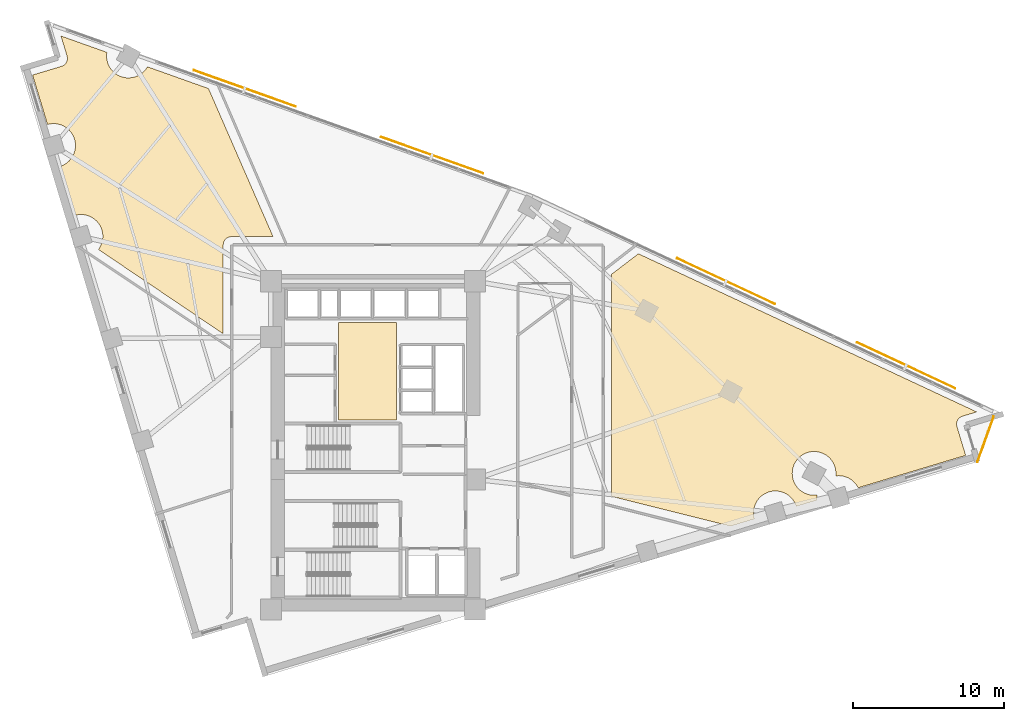
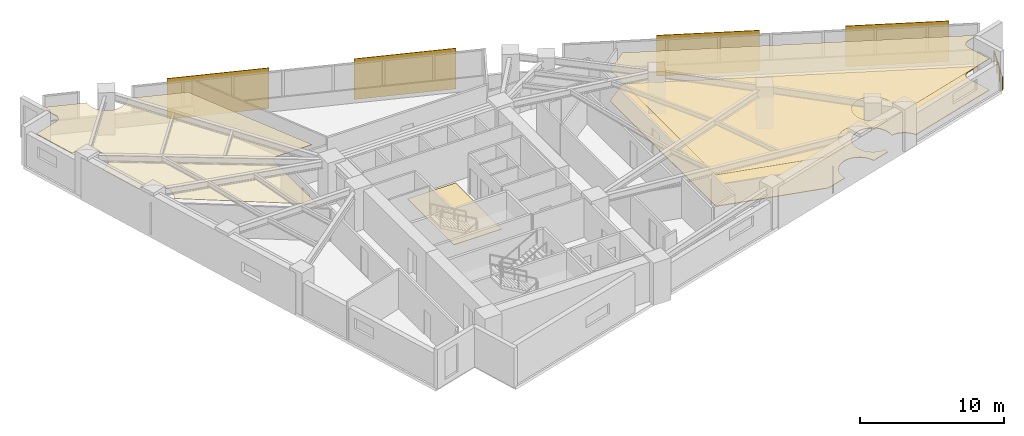
# One storey, part 14 of 14: 4 coverings, 4 shading devices, 1 railing.
"""IFC4 building model written with IfcOpenShell, lengths in metres."""

from ifc_helpers import new_model, si_unit, direction, frame, origin, origin_2d, place, context, subcontext, project, spatial, polyline, rectangle, circle, outline, extrude, material, layer, layer_set, type_object, element, save


model = new_model("IFC4")

# Units and contexts
model_context = context("Model", 3, precision=1e-05, world=origin(), true_north=direction((0.0, 1.0)))
body_context = subcontext(model_context, "Body", "Model", "MODEL_VIEW")
ifc_project = project(units=[si_unit("LENGTHUNIT", "METRE"), si_unit("AREAUNIT", "SQUARE_METRE"), si_unit("VOLUMEUNIT", "CUBIC_METRE"), si_unit("PLANEANGLEUNIT", "RADIAN"), si_unit("MASSUNIT", "GRAM", prefix="KILO")], contexts=[model_context])

# Site, building, storey
site_placement = place(None, origin())
site = spatial("IfcSite", under=ifc_project, at=site_placement, CompositionType="ELEMENT")
building_placement = place(site_placement, origin())
building = spatial("IfcBuilding", under=site, at=building_placement, Name="Narakoshi Arena Tower", CompositionType="ELEMENT")
storey_placement = place(building_placement, frame((0.0, 0.0, 135.89990234375)))
storey = spatial("IfcBuildingStorey", under=building, at=storey_placement, Name="L36", CompositionType="ELEMENT", Elevation=135.89990234375)

# Coverings
ifc_material_1 = material(Name="Acoustic mineral-fibre ceiling tile")
ifc_layer_1 = layer(ifc_material_1, 0.02001953125)
ifc_layer_set_1 = layer_set([ifc_layer_1], Name="Acoustic mineral-fibre ceiling tile")
covering_type_1 = type_object("IfcCoveringType", Name="COV-CLG-AC20", PredefinedType="CEILING", material=ifc_layer_set_1)
covering_1_placement = place(storey_placement, frame((0.0, 0.0, 2.670166015625)))
element("IfcCovering", 1, at=covering_1_placement, inside=storey, type_object=covering_type_1, Name="L36 Suspended Acoustic Ceiling 1", PredefinedType="CEILING", context=body_context, shape_type="SweptSolid", body=[
    extrude(outline(polyline([(117.9150390625, 47.540771484375), (117.8642578125, 47.522705078125), (117.8154296875, 47.499755859375), (117.76904296875, 47.47216796875), (117.7255859375, 47.43994140625), (117.685546875, 47.40380859375), (117.649169921875, 47.364013671875), (117.616943359375, 47.32080078125), (117.589111328125, 47.2744140625), (117.56591796875, 47.2255859375), (117.547607421875, 47.1748046875), (117.534423828125, 47.12255859375), (117.5263671875, 47.069091796875), (117.523681640625, 47.015380859375), (117.526123046875, 46.96142578125), (117.533935546875, 46.907958984375), (117.546875, 46.855712890625), (118.1240234375, 44.93798828125), (110.98681640625, 42.789794921875), (110.971435546875, 42.82275390625), (110.898193359375, 42.94482421875), (110.8134765625, 43.05908203125), (110.718017578125, 43.16455078125), (110.612548828125, 43.260009765625), (110.498291015625, 43.3447265625), (110.376220703125, 43.41796875), (110.24755859375, 43.478759765625), (110.113525390625, 43.52685546875), (109.9755859375, 43.561279296875), (109.834716796875, 43.582275390625), (109.692626953125, 43.589111328125), (109.550537109375, 43.582275390625), (109.5, 43.57470703125), (109.504150390625, 43.603515625), (109.51123046875, 43.74560546875), (109.504150390625, 43.8876953125), (109.4833984375, 44.0283203125), (109.44873046875, 44.16650390625), (109.40087890625, 44.30029296875), (109.340087890625, 44.428955078125), (109.266845703125, 44.551025390625), (109.18212890625, 44.665283203125), (109.08642578125, 44.770751953125), (108.981201171875, 44.866455078125), (108.86669921875, 44.951171875), (108.74462890625, 45.0244140625), (108.6162109375, 45.085205078125), (108.482177734375, 45.133056640625), (108.343994140625, 45.16748046875), (108.203369140625, 45.1884765625), (108.061279296875, 45.195556640625), (107.919189453125, 45.1884765625), (107.7783203125, 45.16748046875), (107.640380859375, 45.133056640625), (107.50634765625, 45.085205078125), (107.377685546875, 45.0244140625), (107.255615234375, 44.951171875), (107.141357421875, 44.866455078125), (107.035888671875, 44.770751953125), (106.940185546875, 44.665283203125), (106.855712890625, 44.551025390625), (106.782470703125, 44.428955078125), (106.7216796875, 44.30029296875), (106.673583984375, 44.16650390625), (106.63916015625, 44.0283203125), (106.6181640625, 43.8876953125), (106.611083984375, 43.74560546875), (106.6181640625, 43.603515625), (106.63916015625, 43.462646484375), (106.673583984375, 43.32470703125), (106.7216796875, 43.190673828125), (106.782470703125, 43.06201171875), (106.855712890625, 42.93994140625), (106.940185546875, 42.82568359375), (107.035888671875, 42.72021484375), (107.141357421875, 42.62451171875), (107.255615234375, 42.539794921875), (107.377685546875, 42.466796875), (107.50634765625, 42.406005859375), (107.640380859375, 42.35791015625), (107.7783203125, 42.323486328125), (107.919189453125, 42.302490234375), (108.061279296875, 42.29541015625), (108.203369140625, 42.302490234375), (108.25390625, 42.31005859375), (108.24951171875, 42.28125), (108.24267578125, 42.13916015625), (108.24951171875, 41.9970703125), (108.25390625, 41.96728515625), (106.87890625, 41.553466796875), (106.833251953125, 41.680908203125), (106.7724609375, 41.8095703125), (106.69921875, 41.931640625), (106.614501953125, 42.0458984375), (106.51904296875, 42.1513671875), (106.41357421875, 42.2470703125), (106.29931640625, 42.331787109375), (106.17724609375, 42.40478515625), (106.048583984375, 42.4658203125), (105.91455078125, 42.513671875), (105.776611328125, 42.548095703125), (105.6357421875, 42.569091796875), (105.49365234375, 42.576171875), (105.3515625, 42.569091796875), (105.210693359375, 42.548095703125), (105.07275390625, 42.513671875), (104.938720703125, 42.4658203125), (104.810302734375, 42.40478515625), (104.68798828125, 42.331787109375), (104.57373046875, 42.2470703125), (104.468505859375, 42.1513671875), (104.372802734375, 42.0458984375), (104.2880859375, 41.931640625), (104.21484375, 41.8095703125), (104.154052734375, 41.680908203125), (104.106201171875, 41.547119140625), (104.071533203125, 41.408935546875), (104.05078125, 41.268310546875), (104.043701171875, 41.126220703125), (104.05078125, 40.98388671875), (104.071533203125, 40.84326171875), (104.102783203125, 40.718017578125), (102.523193359375, 40.242431640625), (94.611328125, 42.222412109375), (94.611328125, 56.959716796875), (96.398681640625, 58.323974609375), (118.8564453125, 47.823974609375), (117.9150390625, 47.540771484375)])), origin(), (0.0, 0.0, 1.0), 0.02001953125),
])
ifc_material_2 = material(Name="Slatted oak acoustic timber baffle", Category="wood")
ifc_layer_2 = layer(ifc_material_2, 0.034912109375)
ifc_layer_set_2 = layer_set([ifc_layer_2], Name="Slatted oak acoustic timber baffle")
covering_type_2 = type_object("IfcCoveringType", Name="COV-CLG-WD35", PredefinedType="CEILING", material=ifc_layer_set_2)
covering_2_placement = place(storey_placement, frame((0.0, 0.0, 2.655029296875)))
element("IfcCovering", 2, at=covering_2_placement, inside=storey, type_object=covering_type_2, Name="L36 Suspended Acoustic Ceiling 2", PredefinedType="CEILING", context=body_context, shape_type="SweptSolid", body=[
    extrude(outline(polyline([(58.1015625, 70.76611328125), (58.15234375, 70.7841796875), (58.201171875, 70.80712890625), (58.24755859375, 70.834716796875), (58.291015625, 70.86669921875), (58.3310546875, 70.903076171875), (58.367431640625, 70.94287109375), (58.399658203125, 70.986083984375), (58.427490234375, 71.032470703125), (58.45068359375, 71.0810546875), (58.468994140625, 71.1318359375), (58.482177734375, 71.18408203125), (58.490234375, 71.237548828125), (58.492919921875, 71.29150390625), (58.490478515625, 71.345458984375), (58.482666015625, 71.398681640625), (58.4697265625, 71.451171875), (58.070068359375, 72.77880859375), (61.1171875, 71.693603515625), (61.102294921875, 71.59228515625), (61.09521484375, 71.4501953125), (61.102294921875, 71.30810546875), (61.123046875, 71.16748046875), (61.15771484375, 71.029296875), (61.20556640625, 70.8955078125), (61.266357421875, 70.766845703125), (61.339599609375, 70.644775390625), (61.42431640625, 70.530517578125), (61.52001953125, 70.425048828125), (61.625244140625, 70.329345703125), (61.739501953125, 70.24462890625), (61.86181640625, 70.17138671875), (61.990234375, 70.110595703125), (62.124267578125, 70.062744140625), (62.26220703125, 70.0283203125), (62.403076171875, 70.00732421875), (62.545166015625, 70.000244140625), (62.687255859375, 70.00732421875), (62.828125, 70.0283203125), (62.966064453125, 70.062744140625), (63.10009765625, 70.110595703125), (63.228759765625, 70.17138671875), (63.350830078125, 70.24462890625), (63.465087890625, 70.329345703125), (63.570556640625, 70.425048828125), (63.666015625, 70.530517578125), (63.750732421875, 70.644775390625), (63.8056640625, 70.736083984375), (67.86083984375, 69.291748046875), (72.146484375, 59.458984375), (69.388916015625, 59.458984375), (69.3349609375, 59.456298828125), (69.281494140625, 59.448486328125), (69.22900390625, 59.435302734375), (69.17822265625, 59.4169921875), (69.12939453125, 59.39404296875), (69.083251953125, 59.3662109375), (69.039794921875, 59.334228515625), (69.0, 59.2978515625), (68.963623046875, 59.2578125), (68.931396484375, 59.214599609375), (68.90380859375, 59.168212890625), (68.880615234375, 59.119384765625), (68.862548828125, 59.068603515625), (68.849365234375, 59.016357421875), (68.84130859375, 58.962890625), (68.8388671875, 58.908935546875), (68.8388671875, 53.010009765625), (60.552490234375, 58.609619140625), (60.6015625, 58.675537109375), (60.6748046875, 58.797607421875), (60.735595703125, 58.92626953125), (60.78369140625, 59.060302734375), (60.818115234375, 59.1982421875), (60.839111328125, 59.339111328125), (60.845947265625, 59.481201171875), (60.839111328125, 59.623291015625), (60.818115234375, 59.76416015625), (60.78369140625, 59.902099609375), (60.735595703125, 60.0361328125), (60.6748046875, 60.164794921875), (60.6015625, 60.286865234375), (60.516845703125, 60.401123046875), (60.42138671875, 60.506591796875), (60.31591796875, 60.60205078125), (60.20166015625, 60.686767578125), (60.07958984375, 60.760009765625), (59.950927734375, 60.82080078125), (59.81689453125, 60.868896484375), (59.678955078125, 60.9033203125), (59.5380859375, 60.92431640625), (59.39599609375, 60.93115234375), (59.25390625, 60.92431640625), (59.113037109375, 60.9033203125), (58.98779296875, 60.8720703125), (58.00830078125, 64.126708984375), (58.1357421875, 64.172607421875), (58.264404296875, 64.2333984375), (58.386474609375, 64.306396484375), (58.500732421875, 64.39111328125), (58.606201171875, 64.48681640625), (58.701904296875, 64.59228515625), (58.78662109375, 64.70654296875), (58.859619140625, 64.82861328125), (58.92041015625, 64.957275390625), (58.968505859375, 65.09130859375), (59.0029296875, 65.229248046875), (59.02392578125, 65.3701171875), (59.031005859375, 65.51220703125), (59.02392578125, 65.654296875), (59.0029296875, 65.794921875), (58.968505859375, 65.93310546875), (58.92041015625, 66.06689453125), (58.859619140625, 66.195556640625), (58.78662109375, 66.317626953125), (58.701904296875, 66.431884765625), (58.606201171875, 66.537353515625), (58.500732421875, 66.633056640625), (58.386474609375, 66.7177734375), (58.264404296875, 66.791015625), (58.1357421875, 66.851806640625), (58.001708984375, 66.899658203125), (57.86376953125, 66.93408203125), (57.722900390625, 66.955078125), (57.580810546875, 66.962158203125), (57.438720703125, 66.955078125), (57.298095703125, 66.93408203125), (57.1728515625, 66.90283203125), (56.183837890625, 70.18896484375), (58.1015625, 70.76611328125)])), origin(), (0.0, 0.0, 1.0), 0.03515625),
])
ifc_material_3 = material(Name="Raised steel access floor panel", Category="steel")
ifc_layer_3 = layer(ifc_material_3, 0.044921875)
ifc_layer_set_3 = layer_set([ifc_layer_3], Name="Raised steel access floor panel")
covering_type_3 = type_object("IfcCoveringType", Name="COV-FLR-RF45", PredefinedType="FLOORING", material=ifc_layer_set_3)
covering_3_placement = place(storey_placement, origin())
element("IfcCovering", 3, at=covering_3_placement, inside=storey, type_object=covering_type_3, Name="L36 Raised Steel Access Floor", PredefinedType="FLOORING", context=body_context, shape_type="SweptSolid", body=[
    extrude(outline(polyline([(117.9150390625, 47.540771484375), (117.8642578125, 47.522705078125), (117.8154296875, 47.499755859375), (117.76904296875, 47.47216796875), (117.7255859375, 47.43994140625), (117.685546875, 47.40380859375), (117.649169921875, 47.364013671875), (117.616943359375, 47.32080078125), (117.589111328125, 47.2744140625), (117.56591796875, 47.2255859375), (117.547607421875, 47.1748046875), (117.534423828125, 47.12255859375), (117.5263671875, 47.069091796875), (117.523681640625, 47.015380859375), (117.526123046875, 46.96142578125), (117.533935546875, 46.907958984375), (117.546875, 46.855712890625), (118.1240234375, 44.93798828125), (110.98681640625, 42.789794921875), (110.971435546875, 42.82275390625), (110.898193359375, 42.94482421875), (110.8134765625, 43.05908203125), (110.718017578125, 43.16455078125), (110.612548828125, 43.260009765625), (110.498291015625, 43.3447265625), (110.376220703125, 43.41796875), (110.24755859375, 43.478759765625), (110.113525390625, 43.52685546875), (109.9755859375, 43.561279296875), (109.834716796875, 43.582275390625), (109.692626953125, 43.589111328125), (109.550537109375, 43.582275390625), (109.5, 43.57470703125), (109.504150390625, 43.603515625), (109.51123046875, 43.74560546875), (109.504150390625, 43.8876953125), (109.4833984375, 44.0283203125), (109.44873046875, 44.16650390625), (109.40087890625, 44.30029296875), (109.340087890625, 44.428955078125), (109.266845703125, 44.551025390625), (109.18212890625, 44.665283203125), (109.08642578125, 44.770751953125), (108.981201171875, 44.866455078125), (108.86669921875, 44.951171875), (108.74462890625, 45.0244140625), (108.6162109375, 45.085205078125), (108.482177734375, 45.133056640625), (108.343994140625, 45.16748046875), (108.203369140625, 45.1884765625), (108.061279296875, 45.195556640625), (107.919189453125, 45.1884765625), (107.7783203125, 45.16748046875), (107.640380859375, 45.133056640625), (107.50634765625, 45.085205078125), (107.377685546875, 45.0244140625), (107.255615234375, 44.951171875), (107.141357421875, 44.866455078125), (107.035888671875, 44.770751953125), (106.940185546875, 44.665283203125), (106.855712890625, 44.551025390625), (106.782470703125, 44.428955078125), (106.7216796875, 44.30029296875), (106.673583984375, 44.16650390625), (106.63916015625, 44.0283203125), (106.6181640625, 43.8876953125), (106.611083984375, 43.74560546875), (106.6181640625, 43.603515625), (106.63916015625, 43.462646484375), (106.673583984375, 43.32470703125), (106.7216796875, 43.190673828125), (106.782470703125, 43.06201171875), (106.855712890625, 42.93994140625), (106.940185546875, 42.82568359375), (107.035888671875, 42.72021484375), (107.141357421875, 42.62451171875), (107.255615234375, 42.539794921875), (107.377685546875, 42.466796875), (107.50634765625, 42.406005859375), (107.640380859375, 42.35791015625), (107.7783203125, 42.323486328125), (107.919189453125, 42.302490234375), (108.061279296875, 42.29541015625), (108.203369140625, 42.302490234375), (108.25390625, 42.31005859375), (108.24951171875, 42.28125), (108.24267578125, 42.13916015625), (108.24951171875, 41.9970703125), (108.25390625, 41.96728515625), (106.87890625, 41.553466796875), (106.833251953125, 41.680908203125), (106.7724609375, 41.8095703125), (106.69921875, 41.931640625), (106.614501953125, 42.0458984375), (106.51904296875, 42.1513671875), (106.41357421875, 42.2470703125), (106.29931640625, 42.331787109375), (106.17724609375, 42.40478515625), (106.048583984375, 42.4658203125), (105.91455078125, 42.513671875), (105.776611328125, 42.548095703125), (105.6357421875, 42.569091796875), (105.49365234375, 42.576171875), (105.3515625, 42.569091796875), (105.210693359375, 42.548095703125), (105.07275390625, 42.513671875), (104.938720703125, 42.4658203125), (104.810302734375, 42.40478515625), (104.68798828125, 42.331787109375), (104.57373046875, 42.2470703125), (104.468505859375, 42.1513671875), (104.372802734375, 42.0458984375), (104.2880859375, 41.931640625), (104.21484375, 41.8095703125), (104.154052734375, 41.680908203125), (104.106201171875, 41.547119140625), (104.071533203125, 41.408935546875), (104.05078125, 41.268310546875), (104.043701171875, 41.126220703125), (104.05078125, 40.98388671875), (104.071533203125, 40.84326171875), (104.102783203125, 40.718017578125), (102.523193359375, 40.242431640625), (94.611328125, 42.222412109375), (94.611328125, 56.959716796875), (96.398681640625, 58.323974609375), (118.8564453125, 47.823974609375), (117.9150390625, 47.540771484375)])), origin(), (0.0, 0.0, 1.0), 0.045166015625),
])
ifc_material_4 = material(Name="Honed granite stone paving", Category="masonry")
ifc_layer_4 = layer(ifc_material_4, 0.030029296875)
ifc_layer_set_4 = layer_set([ifc_layer_4], Name="Honed granite stone paving")
covering_type_4 = type_object("IfcCoveringType", Name="COV-FLR-ST30", PredefinedType="FLOORING", material=ifc_layer_set_4)
covering_4_placement = place(storey_placement, origin())
element("IfcCovering", 4, at=covering_4_placement, inside=storey, type_object=covering_type_4, Name="L36 Lift Lobby Granite Flooring", PredefinedType="FLOORING", context=body_context, shape_type="SweptSolid", body=[
    extrude(outline(polyline([(76.5, 47.300048828125), (80.35009765625, 47.300048828125), (80.35009765625, 53.75), (76.5, 53.75), (76.5, 47.300048828125)])), origin(), (0.0, 0.0, 1.0), 0.030029296875),
])

# Railing
ifc_material_5 = material(Name="Brushed bronze stainless steel", Category="steel")
railing_type = type_object("IfcRailingType", Name="RL-GRD-1150", PredefinedType="GUARDRAIL", material=ifc_material_5)
railing_placement = place(storey_placement, frame((118.908935546875, 44.51611328125, 0.0)))
element("IfcRailing", 5, at=railing_placement, inside=storey, type_object=railing_type, Name="L36 Corner Loggia Balcony Guardrail", PredefinedType="GUARDRAIL", context=body_context, shape_type="SweptSolid", body=[
    extrude(circle(Radius=0.02392578125, at=origin_2d()), frame((0.0, 0.0, 1.1259765625), z_axis=(0.337962541508, 0.941159561678, 0.0), x_axis=(-0.941159561678, 0.337962541508, 0.0)), (0.0, 0.0, 1.0), 3.175537109375),
    extrude(circle(Radius=0.02099609375, at=origin_2d()), origin(), (0.0, 0.0, 1.0), 1.101806640625),
    extrude(circle(Radius=0.02099609375, at=origin_2d()), frame((0.357666015625, 0.996337890625, 0.0)), (0.0, 0.0, 1.0), 1.101806640625),
    extrude(circle(Radius=0.02099609375, at=origin_2d()), frame((0.715576171875, 1.992431640625, 0.0)), (0.0, 0.0, 1.0), 1.101806640625),
    extrude(circle(Radius=0.02099609375, at=origin_2d()), frame((1.0732421875, 2.98876953125, 0.0)), (0.0, 0.0, 1.0), 1.101806640625),
])

# Shading devices
ifc_material_6 = material(Name="Perforated bronze ceramic-metal composite")
ifc_layer_5 = layer(ifc_material_6, 0.044921875)
ifc_layer_set_5 = layer_set([ifc_layer_5], Name="Perforated bronze ceramic-metal composite")
shading_device_type = type_object("IfcShadingDeviceType", Name="SHD-SCR-BRZ1", PredefinedType="USERDEFINED", material=ifc_layer_set_5)
for number, where, z_axis, x_axis, name in (
    (6, (114.172607421875, 50.910888671875, 0.0), (0.0, 0.0, 1.0), (-0.9058795101, 0.423535492234, 0.0), "L36 Perforated Bronze Solar Screen 1-1"),
    (7, (102.21484375, 56.50146484375, 0.0), (0.0, 0.0, 1.0), (-0.9058795101, 0.423535492234, 0.0), "L36 Perforated Bronze Solar Screen 1-2"),
    (8, (82.70068359375, 64.868896484375, 0.0), (0.0, 0.0, 1.0), (-0.942034031554, 0.33551733695, 0.0), "L36 Perforated Bronze Solar Screen 2-1"),
    (9, (70.265869140625, 69.297607421875, 0.0), (0.0, 0.0, 1.0), (-0.942034031554, 0.33551733695, 0.0), "L36 Perforated Bronze Solar Screen 2-2"),
):
    element("IfcShadingDevice", number, at=place(storey_placement, frame(where, z_axis=z_axis, x_axis=x_axis)), inside=storey, type_object=shading_device_type, Name=name, ObjectType="SOLAR SCREEN", PredefinedType="USERDEFINED", context=body_context, shape_type="SweptSolid", body=[
        extrude(rectangle(XDim=7.199951171875, YDim=0.044921875, at=origin_2d()), origin(), (0.0, 0.0, 1.0), 3.449951171875),
    ])

save(model, "model.ifc")
